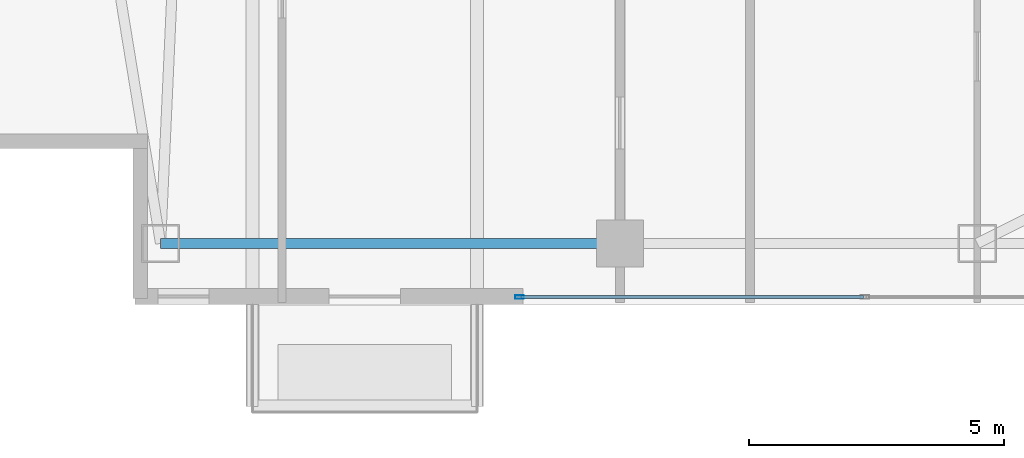
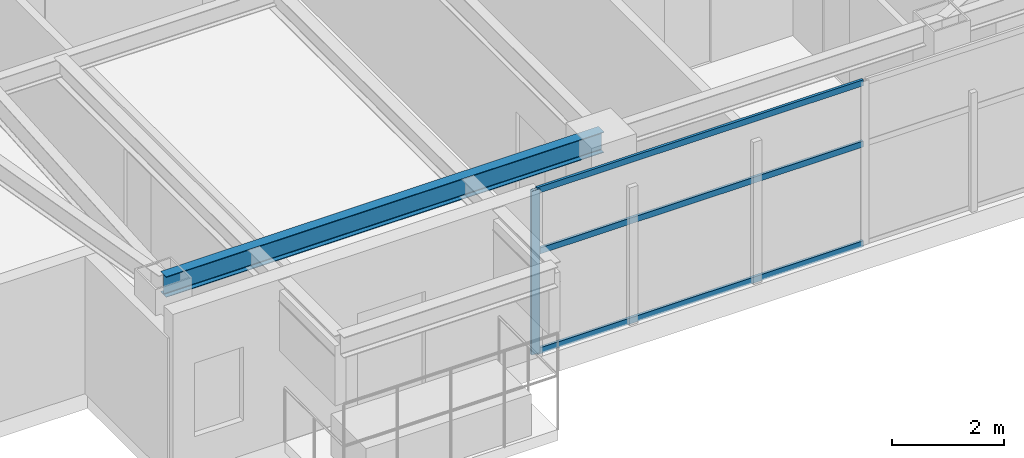
# One storey, part 3 of 27: 4 members, 1 beam, 1 element without a shape of its own.
"""IFC4 building model written with IfcOpenShell, lengths in metres."""

from ifc_helpers import new_model, si_unit, direction, frame, origin, origin_2d, place, context, subcontext, project, spatial, hollow_rectangle, i_section, extrude, material, layer, layer_set, material_profile, profile_set, type_object, element, aggregate, save


model = new_model("IFC4")

# Units and contexts
model_context = context("Model", 3, precision=1e-05, world=origin(), true_north=direction((0.0, 1.0)))
body_context = subcontext(model_context, "Body", "Model", "MODEL_VIEW")
ifc_project = project(units=[si_unit("LENGTHUNIT", "METRE"), si_unit("AREAUNIT", "SQUARE_METRE"), si_unit("VOLUMEUNIT", "CUBIC_METRE"), si_unit("PLANEANGLEUNIT", "RADIAN"), si_unit("MASSUNIT", "GRAM", prefix="KILO")], contexts=[model_context])

# Site, building, storey
site_placement = place(None, origin())
site = spatial("IfcSite", under=ifc_project, at=site_placement, CompositionType="ELEMENT")
building_placement = place(site_placement, origin())
building = spatial("IfcBuilding", under=site, at=building_placement, Name="Calvorn Quay Hotel", CompositionType="ELEMENT")
storey_placement = place(building_placement, frame((0.0, 0.0, 287.300048828125)))
storey = spatial("IfcBuildingStorey", under=building, at=storey_placement, Name="L71", CompositionType="ELEMENT", Elevation=287.300048828125)

# Beam
ifc_material_1 = material(Name="Steel Q355B", Category="steel")
ifc_material_profile_1 = material_profile(ifc_material_1, i_section(OverallWidth=0.199951171875, OverallDepth=0.449951171875, WebThickness=0.009033203125, FlangeThickness=0.013916015625, FilletRadius=0.01611328125, at=origin_2d()), Name="HN450x200x9x14")
ifc_profile_set_1 = profile_set([ifc_material_profile_1], Name="Steel Q355B")
beam_type = type_object("IfcBeamType", Name="BM-SPANDREL-Z3", PredefinedType="SPANDREL", material=ifc_profile_set_1)
beam_placement = place(storey_placement, frame((3.60009765625, 3.60009765625, 3.31494140625), z_axis=(1.0, 0.0, 0.0), x_axis=(0.0, 1.0, 0.0)))
element("IfcBeam", 1, at=beam_placement, inside=storey, type_object=beam_type, Name="Beam BSP-L71-S1", PredefinedType="SPANDREL", context=body_context, shape_type="SweptSolid", body=[
    extrude(i_section(OverallWidth=0.199951171875, OverallDepth=0.449951171875, WebThickness=0.009033203125, FlangeThickness=0.013916015625, FilletRadius=0.01611328125, at=origin_2d()), origin(), (0.0, 0.0, 1.0), 9.0),
])

# Curtain wall, members
ifc_material_2 = material(Name="Champagne Bronze Anodised Aluminium and Low-E Glass", Category="aluminium")
ifc_layer = layer(ifc_material_2, 0.219970703125)
ifc_layer_set = layer_set([ifc_layer], Name="CW-SYS-Z4")
curtain_wall_type = type_object("IfcCurtainWallType", Name="CW-SYS-Z4", PredefinedType="NOTDEFINED", material=ifc_layer_set)
curtain_wall_placement = place(storey_placement, origin())
curtain_wall = element("IfcCurtainWall", 2, at=curtain_wall_placement, inside=storey, type_object=curtain_wall_type, Name="Tower South Waterfront Curtain Wall (L71)", PredefinedType="NOTDEFINED")
ifc_material_3 = material(Name="Champagne Bronze Anodised Aluminium 6063-T6", Category="aluminium")
ifc_material_profile_2 = material_profile(ifc_material_3, hollow_rectangle(XDim=0.06494140625, YDim=0.169921875, WallThickness=0.00341796875, at=origin_2d()), Name="ALU-M170x65x3.5")
ifc_profile_set_2 = profile_set([ifc_material_profile_2], Name="Champagne Bronze Anodised Aluminium 6063-T6")
member_type_1 = type_object("IfcMemberType", Name="CW-SYS-Z4-MUL", PredefinedType="MULLION", material=ifc_profile_set_2)
member_1_placement = place(storey_placement, frame((10.6298828125, 2.550048828125, 0.0), z_axis=(0.0, 0.0, 1.0), x_axis=(0.0, 1.0, 0.0)))
member_1 = element("IfcMember", 3, at=member_1_placement, type_object=member_type_1, Name="CW-L71-S mullion 1", PredefinedType="MULLION", context=body_context, shape_type="SweptSolid", body=[
    extrude(hollow_rectangle(XDim=0.06494140625, YDim=0.169921875, WallThickness=0.00341796875, at=origin_2d()), origin(), (0.0, 0.0, 1.0), 3.56005859375),
])
ifc_material_4 = material(Name="Champagne Bronze Anodised Aluminium 6063-T6", Category="aluminium")
ifc_material_profile_3 = material_profile(ifc_material_4, hollow_rectangle(XDim=0.054931640625, YDim=0.1298828125, WallThickness=0.003173828125, at=origin_2d()), Name="ALU-T130x55x3.2")
ifc_profile_set_3 = profile_set([ifc_material_profile_3], Name="Champagne Bronze Anodised Aluminium 6063-T6")
member_type_2 = type_object("IfcMemberType", Name="CW-SYS-Z4-TRN", PredefinedType="USERDEFINED", material=ifc_profile_set_3)
member_2_placement = place(storey_placement, frame((10.659912109375, 2.550048828125, 0.030029296875), z_axis=(1.0, 0.0, 0.0), x_axis=(0.0, 1.0, 0.0)))
member_2 = element("IfcMember", 4, at=member_2_placement, type_object=member_type_2, Name="CW-L71-S transom 1.1", ObjectType="TRANSOM", PredefinedType="USERDEFINED", context=body_context, shape_type="SweptSolid", body=[
    extrude(hollow_rectangle(XDim=0.054931640625, YDim=0.1298828125, WallThickness=0.003173828125, at=origin_2d()), origin(), (0.0, 0.0, 1.0), 6.710205078125),
])
member_3_placement = place(storey_placement, frame((10.659912109375, 2.550048828125, 2.199951171875), z_axis=(1.0, 0.0, 0.0), x_axis=(0.0, 1.0, 0.0)))
member_3 = element("IfcMember", 5, at=member_3_placement, type_object=member_type_2, Name="CW-L71-S transom 1.2", ObjectType="TRANSOM", PredefinedType="USERDEFINED", context=body_context, shape_type="SweptSolid", body=[
    extrude(hollow_rectangle(XDim=0.054931640625, YDim=0.1298828125, WallThickness=0.003173828125, at=origin_2d()), origin(), (0.0, 0.0, 1.0), 6.710205078125),
])
member_4_placement = place(storey_placement, frame((10.659912109375, 2.550048828125, 3.530029296875), z_axis=(1.0, 0.0, 0.0), x_axis=(0.0, 1.0, 0.0)))
member_4 = element("IfcMember", 6, at=member_4_placement, type_object=member_type_2, Name="CW-L71-S transom 1.3", ObjectType="TRANSOM", PredefinedType="USERDEFINED", context=body_context, shape_type="SweptSolid", body=[
    extrude(hollow_rectangle(XDim=0.054931640625, YDim=0.1298828125, WallThickness=0.003173828125, at=origin_2d()), origin(), (0.0, 0.0, 1.0), 6.710205078125),
])
aggregate(curtain_wall, [member_1, member_2, member_3, member_4])

save(model, "model.ifc")
